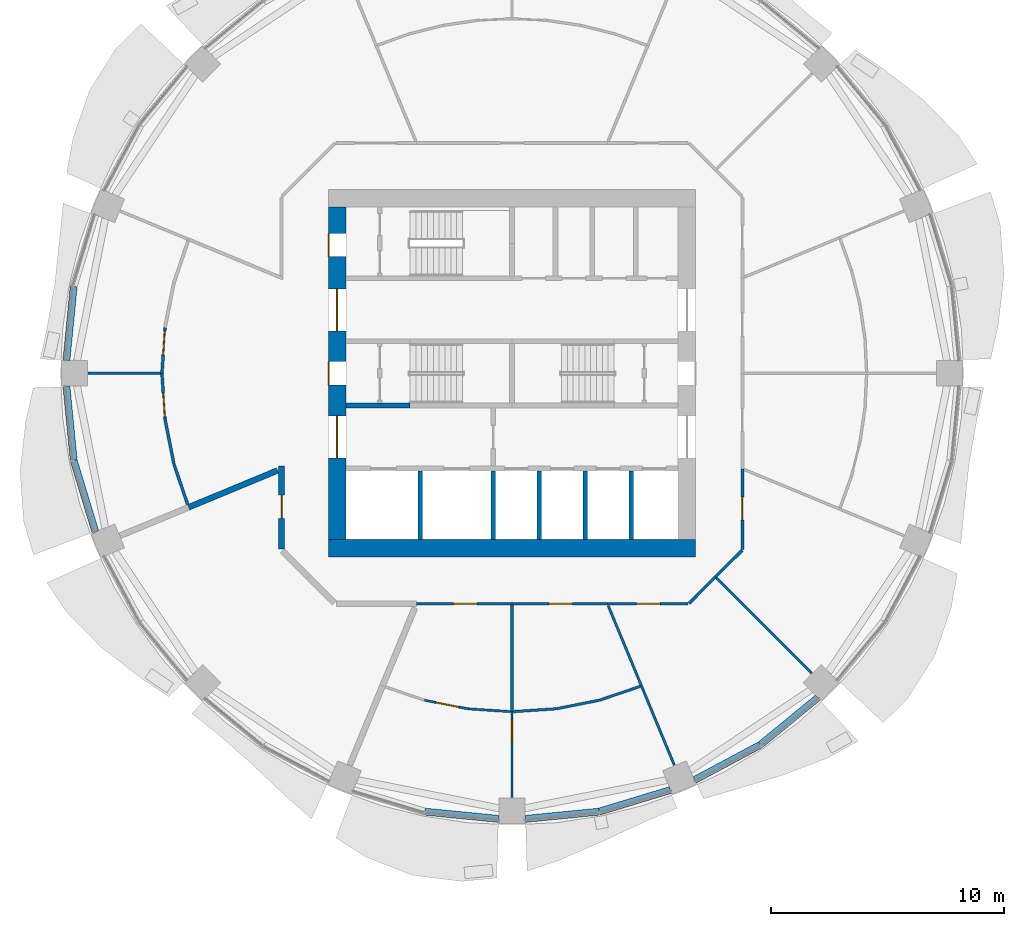
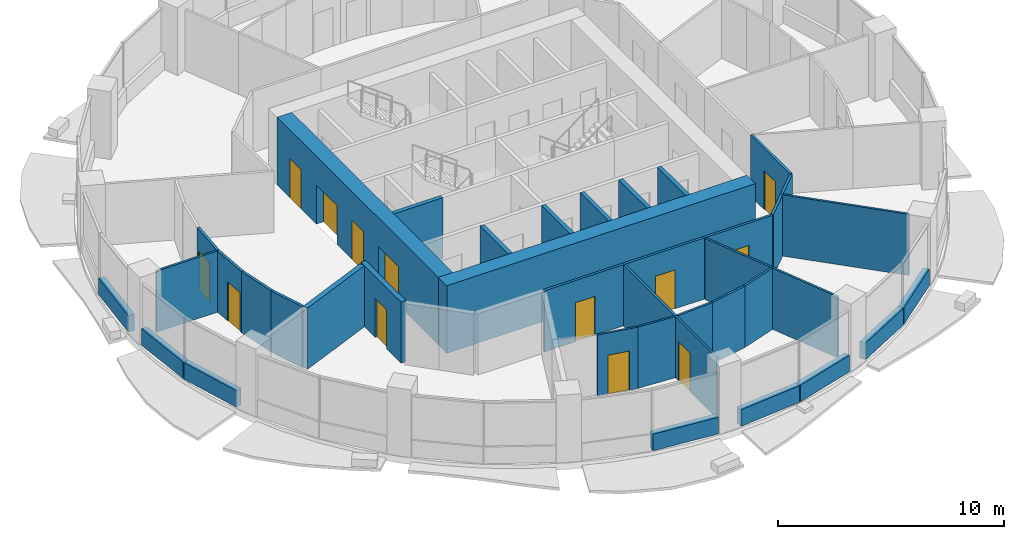
# One storey, part 7 of 14: 39 walls, 13 doors, 13 openings.
"""IFC4 building model written with IfcOpenShell, lengths in metres."""

from ifc_helpers import new_model, si_unit, direction, frame, frame_2d, origin, place, context, subcontext, project, spatial, rectangle, extrude, material, layer, layer_set, type_object, element, fill, save


model = new_model("IFC4")

# Units and contexts
model_context = context("Model", 3, precision=1e-05, world=origin(), true_north=direction((0.0, 1.0)))
body_context = subcontext(model_context, "Body", "Model", "MODEL_VIEW")
ifc_project = project(units=[si_unit("LENGTHUNIT", "METRE"), si_unit("AREAUNIT", "SQUARE_METRE"), si_unit("VOLUMEUNIT", "CUBIC_METRE"), si_unit("PLANEANGLEUNIT", "RADIAN"), si_unit("MASSUNIT", "GRAM", prefix="KILO")], contexts=[model_context])

# Site, building, storey
site_placement = place(None, origin())
site = spatial("IfcSite", under=ifc_project, at=site_placement, CompositionType="ELEMENT")
building_placement = place(site_placement, origin())
building = spatial("IfcBuilding", under=site, at=building_placement, Name="Polderwave Tower", CompositionType="ELEMENT")
storey_placement = place(building_placement, frame((0.0, 0.0, 91.0)))
storey = spatial("IfcBuildingStorey", under=building, at=storey_placement, Name="L23", CompositionType="ELEMENT", Elevation=91.0)

# Wall
ifc_material_1 = material(Name="Concrete C70/85", Category="concrete")
ifc_layer_1 = layer(ifc_material_1, 0.75)
ifc_layer_set_1 = layer_set([ifc_layer_1], Name="CORE WALL 750 C70/85")
wall_type_1 = type_object("IfcWallType", Name="CORE WALL 750 C70/85", PredefinedType="SHEAR", material=ifc_layer_set_1)
wall_1_placement = place(storey_placement, frame((-7.8740234375, -7.4990234375, 0.0), z_axis=(0.0, 0.0, 1.0), x_axis=(1.0, 0.0, 0.0)))
element("IfcWall", 1, at=wall_1_placement, inside=storey, type_object=wall_type_1, Name="ST-CORE-L23-S", PredefinedType="SHEAR", context=body_context, shape_type="SweptSolid", body=[
    extrude(rectangle(XDim=15.748046875, YDim=0.75, at=frame_2d((7.8740234375, 0.0))), origin(), (0.0, 0.0, 1.0), 3.64990234375),
])

# Wall, openings, doors
wall_2_placement = place(storey_placement, frame((-7.4990234375, -7.1240234375, 0.0), z_axis=(0.0, 0.0, 1.0), x_axis=(0.0, 1.0, 0.0)))
wall_2 = element("IfcWall", 2, at=wall_2_placement, inside=storey, type_object=wall_type_1, Name="ST-CORE-L23-W", PredefinedType="SHEAR", context=body_context, shape_type="SweptSolid", body=[
    extrude(rectangle(XDim=14.248046875, YDim=0.75, at=frame_2d((7.1240234375, 0.0))), origin(), (0.0, 0.0, 1.0), 3.64990234375),
])
opening_1_placement = place(wall_2_placement, frame((6.6240234375, 0.0, 0.0)))
opening_1 = element("IfcOpeningElement", 3, at=opening_1_placement, cuts=wall_2, Name="Opening L23-D18", PredefinedType="OPENING", context=body_context, shape_type="SweptSolid", body=[
    extrude(rectangle(XDim=1.0, YDim=2.10009765625, at=frame_2d((0.5, 1.050048828125))), frame((0.0, 0.385009765625, 0.0), z_axis=(0.0, -1.0, 0.0), x_axis=(1.0, 0.0, 0.0)), (0.0, 0.0, 1.0), 0.77001953125),
])
opening_2_placement = place(wall_2_placement, frame((3.49951171875, 0.0, 0.0)))
opening_2 = element("IfcOpeningElement", 4, at=opening_2_placement, cuts=wall_2, Name="Opening L23-D19", PredefinedType="OPENING", context=body_context, shape_type="SweptSolid", body=[
    extrude(rectangle(XDim=1.800048828125, YDim=2.10009765625, at=frame_2d((0.89990234375, 1.050048828125))), frame((0.0, 0.385009765625, 0.0), z_axis=(0.0, -1.0, 0.0), x_axis=(1.0, 0.0, 0.0)), (0.0, 0.0, 1.0), 0.77001953125),
])
opening_3_placement = place(wall_2_placement, frame((8.948486328125, 0.0, 0.0)))
opening_3 = element("IfcOpeningElement", 5, at=opening_3_placement, cuts=wall_2, Name="Opening L23-D20", PredefinedType="OPENING", context=body_context, shape_type="SweptSolid", body=[
    extrude(rectangle(XDim=1.800048828125, YDim=2.10009765625, at=frame_2d((0.89990234375, 1.050048828125))), frame((0.0, 0.385009765625, 0.0), z_axis=(0.0, -1.0, 0.0), x_axis=(1.0, 0.0, 0.0)), (0.0, 0.0, 1.0), 0.77001953125),
])
opening_4_placement = place(wall_2_placement, frame((12.1240234375, 0.0, 0.0)))
opening_4 = element("IfcOpeningElement", 6, at=opening_4_placement, cuts=wall_2, Name="Opening L23-D21", PredefinedType="OPENING", context=body_context, shape_type="SweptSolid", body=[
    extrude(rectangle(XDim=1.0, YDim=2.10009765625, at=frame_2d((0.5, 1.050048828125))), frame((0.0, 0.385009765625, 0.0), z_axis=(0.0, -1.0, 0.0), x_axis=(1.0, 0.0, 0.0)), (0.0, 0.0, 1.0), 0.77001953125),
])
ifc_material_2 = material(Name="Steel fire door", Category="steel")
door_type_1 = type_object("IfcDoorType", Name="Lobby entry door pair 1800", OperationType="DOUBLE_DOOR_SINGLE_SWING", PredefinedType="DOOR", material=ifc_material_2)
door_1_placement = place(opening_2_placement, origin())
door_1 = element("IfcDoor", 7, at=door_1_placement, inside=storey, type_object=door_type_1, Name="Fire-fighting lobby entry door", OperationType="DOUBLE_DOOR_SINGLE_SWING", OverallHeight=2.10009765625, OverallWidth=1.800048828125, PredefinedType="DOOR", context=body_context, shape_type="SweptSolid", body=[
    extrude(rectangle(XDim=1.800048828125, YDim=2.10009765625, at=frame_2d((0.89990234375, 1.050048828125))), frame((0.0, 0.02490234375, 0.0), z_axis=(0.0, -1.0, 0.0), x_axis=(1.0, 0.0, 0.0)), (0.0, 0.0, 1.0), 0.050048828125),
])
fill(opening_2, door_1)
door_2_placement = place(opening_3_placement, origin())
door_2 = element("IfcDoor", 8, at=door_2_placement, inside=storey, type_object=door_type_1, Name="North lobby entry door", OperationType="DOUBLE_DOOR_SINGLE_SWING", OverallHeight=2.10009765625, OverallWidth=1.800048828125, PredefinedType="DOOR", context=body_context, shape_type="SweptSolid", body=[
    extrude(rectangle(XDim=1.800048828125, YDim=2.10009765625, at=frame_2d((0.89990234375, 1.050048828125))), frame((0.0, 0.02490234375, 0.0), z_axis=(0.0, -1.0, 0.0), x_axis=(1.0, 0.0, 0.0)), (0.0, 0.0, 1.0), 0.050048828125),
])
fill(opening_3, door_2)
door_type_2 = type_object("IfcDoorType", Name="Stair door 1000", OperationType="NOTDEFINED", PredefinedType="DOOR", material=ifc_material_2)
door_3_placement = place(opening_1_placement, origin())
door_3 = element("IfcDoor", 9, at=door_3_placement, inside=storey, type_object=door_type_2, Name="Stair A entry door", OperationType="SINGLE_SWING_RIGHT", OverallHeight=2.10009765625, OverallWidth=1.0, PredefinedType="DOOR", context=body_context, shape_type="SweptSolid", body=[
    extrude(rectangle(XDim=1.0, YDim=2.10009765625, at=frame_2d((0.5, 1.050048828125))), frame((0.0, 0.375, 0.0), z_axis=(0.0, -1.0, 0.0), x_axis=(1.0, 0.0, 0.0)), (0.0, 0.0, 1.0), 0.050048828125),
])
fill(opening_1, door_3)
door_4_placement = place(opening_4_placement, origin())
door_4 = element("IfcDoor", 10, at=door_4_placement, inside=storey, type_object=door_type_2, Name="Stair C entry door", OperationType="SINGLE_SWING_RIGHT", OverallHeight=2.10009765625, OverallWidth=1.0, PredefinedType="DOOR", context=body_context, shape_type="SweptSolid", body=[
    extrude(rectangle(XDim=1.0, YDim=2.10009765625, at=frame_2d((0.5, 1.050048828125))), frame((0.0, 0.375, 0.0), z_axis=(0.0, -1.0, 0.0), x_axis=(1.0, 0.0, 0.0)), (0.0, 0.0, 1.0), 0.050048828125),
])
fill(opening_4, door_4)

# Walls
ifc_material_3 = material(Name="Concrete C50/60 (board-marked)", Category="concrete")
ifc_layer_2 = layer(ifc_material_3, 0.300048828125)
ifc_layer_set_2 = layer_set([ifc_layer_2], Name="Concrete spandrel upstand C50/60")
wall_type_2 = type_object("IfcWallType", Name="Concrete spandrel upstand C50/60", PredefinedType="SOLIDWALL", material=ifc_layer_set_2)
for number, where, z_axis, x_axis, name in (
    (11, (-18.783447265625, 3.72119140625, 0.0), (0.0, 0.0, 1.0), (-0.098040704044, -0.995182405567, 0.0), "Spandrel L23 8b"),
    (12, (-19.094482421875, -0.56396484375, 0.0), (0.0, 0.0, 1.0), (0.098040704044, -0.995182405567, 0.0), "Spandrel L23 9a"),
):
    element("IfcWall", number, at=place(storey_placement, frame(where, z_axis=z_axis, x_axis=x_axis)), inside=storey, type_object=wall_type_2, Name=name, PredefinedType="SOLIDWALL", context=body_context, shape_type="SweptSolid", body=[
        extrude(rectangle(XDim=3.172607421875, YDim=0.300048828125, at=frame_2d((1.58642578125, 0.0))), origin(), (0.0, 0.0, 1.0), 0.89990234375),
    ])
wall_3_placement = place(storey_placement, frame((-18.777587890625, -3.75048828125, 0.0), z_axis=(0.0, 0.0, 1.0), x_axis=(0.290325591482, -0.956927923582, 0.0)))
element("IfcWall", 13, at=wall_3_placement, inside=storey, type_object=wall_type_2, Name="Spandrel L23 9b", PredefinedType="SOLIDWALL", context=body_context, shape_type="SweptSolid", body=[
    extrude(rectangle(XDim=3.1728515625, YDim=0.300048828125, at=frame_2d((1.58642578125, 0.0))), origin(), (0.0, 0.0, 1.0), 0.89990234375),
])
for number, where, z_axis, x_axis, name in (
    (14, (-3.72119140625, -18.783447265625, 0.0), (0.0, 0.0, 1.0), (0.995182405567, -0.098040704044, 0.0), "Spandrel L23 12b"),
    (15, (0.56396484375, -19.094482421875, 0.0), (0.0, 0.0, 1.0), (0.995182405567, 0.098040704044, 0.0), "Spandrel L23 13a"),
):
    element("IfcWall", number, at=place(storey_placement, frame(where, z_axis=z_axis, x_axis=x_axis)), inside=storey, type_object=wall_type_2, Name=name, PredefinedType="SOLIDWALL", context=body_context, shape_type="SweptSolid", body=[
        extrude(rectangle(XDim=3.172607421875, YDim=0.300048828125, at=frame_2d((1.58642578125, 0.0))), origin(), (0.0, 0.0, 1.0), 0.89990234375),
    ])
wall_4_placement = place(storey_placement, frame((3.75048828125, -18.777587890625, 0.0), z_axis=(0.0, 0.0, 1.0), x_axis=(0.956927923582, 0.290325591482, 0.0)))
element("IfcWall", 16, at=wall_4_placement, inside=storey, type_object=wall_type_2, Name="Spandrel L23 13b", PredefinedType="SOLIDWALL", context=body_context, shape_type="SweptSolid", body=[
    extrude(rectangle(XDim=3.1728515625, YDim=0.300048828125, at=frame_2d((1.58642578125, 0.0))), origin(), (0.0, 0.0, 1.0), 0.89990234375),
])
wall_5_placement = place(storey_placement, frame((7.828125, -17.4248046875, 0.0), z_axis=(0.0, 0.0, 1.0), x_axis=(0.88188808669, 0.471458802606, 0.0)))
element("IfcWall", 17, at=wall_5_placement, inside=storey, type_object=wall_type_2, Name="Spandrel L23 14a", PredefinedType="SOLIDWALL", context=body_context, shape_type="SweptSolid", body=[
    extrude(rectangle(XDim=3.17236328125, YDim=0.300048828125, at=frame_2d((1.586181640625, 0.0))), origin(), (0.0, 0.0, 1.0), 0.89990234375),
])
wall_6_placement = place(storey_placement, frame((10.650634765625, -15.91259765625, 0.0), z_axis=(0.0, 0.0, 1.0), x_axis=(0.773137226182, 0.634238779555, 0.0)))
element("IfcWall", 18, at=wall_6_placement, inside=storey, type_object=wall_type_2, Name="Spandrel L23 14b", PredefinedType="SOLIDWALL", context=body_context, shape_type="SweptSolid", body=[
    extrude(rectangle(XDim=3.172607421875, YDim=0.300048828125, at=frame_2d((1.58642578125, 0.0))), origin(), (0.0, 0.0, 1.0), 0.89990234375),
])
ifc_material_4 = material(Name="Concrete C50/60", Category="concrete")
ifc_layer_3 = layer(ifc_material_4, 0.199951171875)
ifc_layer_set_3 = layer_set([ifc_layer_3], Name="Core web wall 200")
wall_type_3 = type_object("IfcWallType", Name="Core web wall 200", PredefinedType="SHEAR", material=ifc_layer_set_3)
wall_7_placement = place(storey_placement, frame((-7.1240234375, -1.375, 0.0), z_axis=(0.0, 0.0, 1.0), x_axis=(1.0, 0.0, 0.0)))
element("IfcWall", 19, at=wall_7_placement, inside=storey, type_object=wall_type_3, Name="L23 south stair wall 1", PredefinedType="SHEAR", context=body_context, shape_type="SweptSolid", body=[
    extrude(rectangle(XDim=2.75, YDim=0.199951171875, at=frame_2d((1.375, 0.0))), origin(), (0.0, 0.0, 1.0), 3.300048828125),
])
ifc_material_5 = material(Name="Fire-resisting board on steel studs", Category="steel")
ifc_layer_4 = layer(ifc_material_5, 0.125)
ifc_layer_set_4 = layer_set([ifc_layer_4], Name="Corridor wall 125 mm EI 60")
wall_type_4 = type_object("IfcWallType", Name="Corridor wall 125 mm EI 60", PredefinedType="PARTITIONING", material=ifc_layer_set_4)
wall_8_placement = place(storey_placement, frame((9.855712890625, -7.58935546875, 0.0), z_axis=(0.0, 0.0, 1.0), x_axis=(-0.70718294931, -0.707030604857, 0.0)))
element("IfcWall", 20, at=wall_8_placement, inside=storey, type_object=wall_type_4, Name="IN-L23-W004", PredefinedType="PARTITIONING", context=body_context, shape_type="SweptSolid", body=[
    extrude(rectangle(XDim=1.6025390625, YDim=0.125, at=frame_2d((0.80126953125, 0.0))), origin(), (0.0, 0.0, 1.0), 3.300048828125),
])

# Wall, opening, door
wall_9_placement = place(storey_placement, frame((9.8740234375, -4.08984375, 0.0), z_axis=(0.0, 0.0, 1.0), x_axis=(0.0, -1.0, 0.0)))
wall_9 = element("IfcWall", 21, at=wall_9_placement, inside=storey, type_object=wall_type_4, Name="IN-L23-W005", PredefinedType="PARTITIONING", context=body_context, shape_type="SweptSolid", body=[
    extrude(rectangle(XDim=3.455322265625, YDim=0.125, at=frame_2d((1.7275390625, 0.0))), origin(), (0.0, 0.0, 1.0), 3.300048828125),
])
opening_5_placement = place(wall_9_placement, frame((1.199951171875, 0.0, 0.0)))
opening_5 = element("IfcOpeningElement", 22, at=opening_5_placement, cuts=wall_9, Name="Opening L23-D52", PredefinedType="OPENING", context=body_context, shape_type="SweptSolid", body=[
    extrude(rectangle(XDim=1.0, YDim=2.10009765625, at=frame_2d((0.5, 1.050048828125))), frame((0.0, 0.072509765625, 0.0), z_axis=(0.0, -1.0, 0.0), x_axis=(1.0, 0.0, 0.0)), (0.0, 0.0, 1.0), 0.14501953125),
])
ifc_material_6 = material(Name="Timber fire door leaf", Category="wood")
door_type_3 = type_object("IfcDoorType", Name="Fire door FD30S 1000 x 2100", OperationType="NOTDEFINED", PredefinedType="DOOR", material=ifc_material_6)
door_5_placement = place(opening_5_placement, origin())
door_5 = element("IfcDoor", 23, at=door_5_placement, inside=storey, type_object=door_type_3, Name="Door L23-D52", OperationType="SINGLE_SWING_LEFT", OverallHeight=2.10009765625, OverallWidth=1.0, PredefinedType="DOOR", context=body_context, shape_type="SweptSolid", body=[
    extrude(rectangle(XDim=1.0, YDim=2.10009765625, at=frame_2d((0.5, 1.050048828125))), frame((0.0, 0.02490234375, 0.0), z_axis=(0.0, -1.0, 0.0), x_axis=(1.0, 0.0, 0.0)), (0.0, 0.0, 1.0), 0.050048828125),
])
fill(opening_5, door_5)

wall_10_placement = place(storey_placement, frame((0.0, -9.8740234375, 0.0), z_axis=(0.0, 0.0, 1.0), x_axis=(-1.0, 0.0, 0.0)))
wall_10 = element("IfcWall", 24, at=wall_10_placement, inside=storey, type_object=wall_type_4, Name="IN-L23-W018", PredefinedType="PARTITIONING", context=body_context, shape_type="SweptSolid", body=[
    extrude(rectangle(XDim=4.08984375, YDim=0.125, at=frame_2d((2.044921875, 0.0))), origin(), (0.0, 0.0, 1.0), 3.300048828125),
])
opening_6_placement = place(wall_10_placement, frame((1.5, 0.0, 0.0)))
opening_6 = element("IfcOpeningElement", 25, at=opening_6_placement, cuts=wall_10, Name="Opening L23-D58", PredefinedType="OPENING", context=body_context, shape_type="SweptSolid", body=[
    extrude(rectangle(XDim=1.0, YDim=2.10009765625, at=frame_2d((0.5, 1.050048828125))), frame((0.0, 0.072509765625, 0.0), z_axis=(0.0, -1.0, 0.0), x_axis=(1.0, 0.0, 0.0)), (0.0, 0.0, 1.0), 0.14501953125),
])
door_6_placement = place(opening_6_placement, origin())
door_6 = element("IfcDoor", 26, at=door_6_placement, inside=storey, type_object=door_type_3, Name="Door L23-D58", OperationType="SINGLE_SWING_LEFT", OverallHeight=2.10009765625, OverallWidth=1.0, PredefinedType="DOOR", context=body_context, shape_type="SweptSolid", body=[
    extrude(rectangle(XDim=1.0, YDim=2.10009765625, at=frame_2d((0.5, 1.050048828125))), frame((0.0, 0.02490234375, 0.0), z_axis=(0.0, -1.0, 0.0), x_axis=(1.0, 0.0, 0.0)), (0.0, 0.0, 1.0), 0.050048828125),
])
fill(opening_6, door_6)

wall_11_placement = place(storey_placement, frame((4.08984375, -9.8740234375, 0.0), z_axis=(0.0, 0.0, 1.0), x_axis=(-1.0, 0.0, 0.0)))
wall_11 = element("IfcWall", 27, at=wall_11_placement, inside=storey, type_object=wall_type_4, Name="IN-L23-W019", PredefinedType="PARTITIONING", context=body_context, shape_type="SweptSolid", body=[
    extrude(rectangle(XDim=4.08984375, YDim=0.125, at=frame_2d((2.044921875, 0.0))), origin(), (0.0, 0.0, 1.0), 3.300048828125),
])
opening_7_placement = place(wall_11_placement, frame((1.5, 0.0, 0.0)))
opening_7 = element("IfcOpeningElement", 28, at=opening_7_placement, cuts=wall_11, Name="Opening L23-D59", PredefinedType="OPENING", context=body_context, shape_type="SweptSolid", body=[
    extrude(rectangle(XDim=1.0, YDim=2.10009765625, at=frame_2d((0.5, 1.050048828125))), frame((0.0, 0.072509765625, 0.0), z_axis=(0.0, -1.0, 0.0), x_axis=(1.0, 0.0, 0.0)), (0.0, 0.0, 1.0), 0.14501953125),
])
door_7_placement = place(opening_7_placement, origin())
door_7 = element("IfcDoor", 29, at=door_7_placement, inside=storey, type_object=door_type_3, Name="Door L23-D59", OperationType="SINGLE_SWING_LEFT", OverallHeight=2.10009765625, OverallWidth=1.0, PredefinedType="DOOR", context=body_context, shape_type="SweptSolid", body=[
    extrude(rectangle(XDim=1.0, YDim=2.10009765625, at=frame_2d((0.5, 1.050048828125))), frame((0.0, 0.02490234375, 0.0), z_axis=(0.0, -1.0, 0.0), x_axis=(1.0, 0.0, 0.0)), (0.0, 0.0, 1.0), 0.050048828125),
])
fill(opening_7, door_7)

wall_12_placement = place(storey_placement, frame((7.545166015625, -9.8740234375, 0.0), z_axis=(0.0, 0.0, 1.0), x_axis=(-1.0, 0.0, 0.0)))
wall_12 = element("IfcWall", 30, at=wall_12_placement, inside=storey, type_object=wall_type_4, Name="IN-L23-W020", PredefinedType="PARTITIONING", context=body_context, shape_type="SweptSolid", body=[
    extrude(rectangle(XDim=3.455322265625, YDim=0.125, at=frame_2d((1.7275390625, 0.0))), origin(), (0.0, 0.0, 1.0), 3.300048828125),
])
opening_8_placement = place(wall_12_placement, frame((1.199951171875, 0.0, 0.0)))
opening_8 = element("IfcOpeningElement", 31, at=opening_8_placement, cuts=wall_12, Name="Opening L23-D60", PredefinedType="OPENING", context=body_context, shape_type="SweptSolid", body=[
    extrude(rectangle(XDim=1.0, YDim=2.10009765625, at=frame_2d((0.5, 1.050048828125))), frame((0.0, 0.072509765625, 0.0), z_axis=(0.0, -1.0, 0.0), x_axis=(1.0, 0.0, 0.0)), (0.0, 0.0, 1.0), 0.14501953125),
])
door_8_placement = place(opening_8_placement, origin())
door_8 = element("IfcDoor", 32, at=door_8_placement, inside=storey, type_object=door_type_3, Name="Door L23-D60", OperationType="SINGLE_SWING_LEFT", OverallHeight=2.10009765625, OverallWidth=1.0, PredefinedType="DOOR", context=body_context, shape_type="SweptSolid", body=[
    extrude(rectangle(XDim=1.0, YDim=2.10009765625, at=frame_2d((0.5, 1.050048828125))), frame((0.0, 0.02490234375, 0.0), z_axis=(0.0, -1.0, 0.0), x_axis=(1.0, 0.0, 0.0)), (0.0, 0.0, 1.0), 0.050048828125),
])
fill(opening_8, door_8)

# Wall
wall_13_placement = place(storey_placement, frame((8.722412109375, -8.722412109375, 0.0), z_axis=(0.0, 0.0, 1.0), x_axis=(-0.707030604857, -0.70718294931, 0.0)))
element("IfcWall", 33, at=wall_13_placement, inside=storey, type_object=wall_type_4, Name="IN-L23-W021", PredefinedType="PARTITIONING", context=body_context, shape_type="SweptSolid", body=[
    extrude(rectangle(XDim=1.6025390625, YDim=0.125, at=frame_2d((0.80126953125, 0.0))), origin(), (0.0, 0.0, 1.0), 3.300048828125),
])

# Wall, opening, door
wall_14_placement = place(storey_placement, frame((-15.0, 0.0, 0.0), z_axis=(0.0, 0.0, 1.0), x_axis=(0.065335548621, 0.997863350407, 0.0)))
wall_14 = element("IfcWall", 34, at=wall_14_placement, inside=storey, type_object=wall_type_4, Name="IN-L23-W046", PredefinedType="PARTITIONING", context=body_context, shape_type="SweptSolid", body=[
    extrude(rectangle(XDim=1.9580078125, YDim=0.125, at=frame_2d((0.97900390625, 0.0))), origin(), (0.0, 0.0, 1.0), 3.300048828125),
])
opening_9_placement = place(wall_14_placement, frame((0.800048828125, 0.0, 0.0)))
opening_9 = element("IfcOpeningElement", 35, at=opening_9_placement, cuts=wall_14, Name="Opening L23-D64", PredefinedType="OPENING", context=body_context, shape_type="SweptSolid", body=[
    extrude(rectangle(XDim=1.0, YDim=2.10009765625, at=frame_2d((0.5, 1.050048828125))), frame((0.0, 0.072509765625, 0.0), z_axis=(0.0, -1.0, 0.0), x_axis=(1.0, 0.0, 0.0)), (0.0, 0.0, 1.0), 0.14501953125),
])
door_9_placement = place(opening_9_placement, origin())
door_9 = element("IfcDoor", 36, at=door_9_placement, inside=storey, type_object=door_type_3, Name="Door L23-D64", OperationType="SINGLE_SWING_RIGHT", OverallHeight=2.10009765625, OverallWidth=1.0, PredefinedType="DOOR", context=body_context, shape_type="SweptSolid", body=[
    extrude(rectangle(XDim=1.0, YDim=2.10009765625, at=frame_2d((0.5, 1.050048828125))), frame((0.0, 0.02490234375, 0.0), z_axis=(0.0, -1.0, 0.0), x_axis=(1.0, 0.0, 0.0)), (0.0, 0.0, 1.0), 0.050048828125),
])
fill(opening_9, door_9)

wall_15_placement = place(storey_placement, frame((-14.8720703125, -1.953857421875, 0.0), z_axis=(0.0, 0.0, 1.0), x_axis=(-0.065335548621, 0.997863350407, 0.0)))
wall_15 = element("IfcWall", 37, at=wall_15_placement, inside=storey, type_object=wall_type_4, Name="IN-L23-W049", PredefinedType="PARTITIONING", context=body_context, shape_type="SweptSolid", body=[
    extrude(rectangle(XDim=1.9580078125, YDim=0.125, at=frame_2d((0.97900390625, 0.0))), origin(), (0.0, 0.0, 1.0), 3.300048828125),
])
opening_10_placement = place(wall_15_placement, frame((0.10009765625, 0.0, 0.0)))
opening_10 = element("IfcOpeningElement", 38, at=opening_10_placement, cuts=wall_15, Name="Opening L23-D65", PredefinedType="OPENING", context=body_context, shape_type="SweptSolid", body=[
    extrude(rectangle(XDim=1.0, YDim=2.10009765625, at=frame_2d((0.5, 1.050048828125))), frame((0.0, 0.072509765625, 0.0), z_axis=(0.0, -1.0, 0.0), x_axis=(1.0, 0.0, 0.0)), (0.0, 0.0, 1.0), 0.14501953125),
])
door_10_placement = place(opening_10_placement, origin())
door_10 = element("IfcDoor", 39, at=door_10_placement, inside=storey, type_object=door_type_3, Name="Door L23-D65", OperationType="SINGLE_SWING_LEFT", OverallHeight=2.10009765625, OverallWidth=1.0, PredefinedType="DOOR", context=body_context, shape_type="SweptSolid", body=[
    extrude(rectangle(XDim=1.0, YDim=2.10009765625, at=frame_2d((0.5, 1.050048828125))), frame((0.0, 0.02490234375, 0.0), z_axis=(0.0, -1.0, 0.0), x_axis=(1.0, 0.0, 0.0)), (0.0, 0.0, 1.0), 0.050048828125),
])
fill(opening_10, door_10)

# Walls
wall_16_placement = place(storey_placement, frame((-14.48974609375, -3.87841796875, 0.0), z_axis=(0.0, 0.0, 1.0), x_axis=(-0.195034785279, 0.980796325713, 0.0)))
element("IfcWall", 40, at=wall_16_placement, inside=storey, type_object=wall_type_4, Name="IN-L23-W050", PredefinedType="PARTITIONING", context=body_context, shape_type="SweptSolid", body=[
    extrude(rectangle(XDim=1.9541015625, YDim=0.125, at=frame_2d((0.97705078125, 0.0))), origin(), (0.0, 0.0, 1.0), 3.300048828125),
])
wall_17_placement = place(storey_placement, frame((-13.89990234375, -5.61767578125, 0.0), z_axis=(0.0, 0.0, 1.0), x_axis=(-0.321390424162, 0.946946775303, 0.0)))
element("IfcWall", 41, at=wall_17_placement, inside=storey, type_object=wall_type_4, Name="IN-L23-W051", PredefinedType="PARTITIONING", context=body_context, shape_type="SweptSolid", body=[
    extrude(rectangle(XDim=1.828369140625, YDim=0.125, at=frame_2d((0.9140625, 0.0))), origin(), (0.0, 0.0, 1.0), 3.300048828125),
])

# Wall, opening, door
ifc_material_7 = material(Name="Plasterboard on steel studs", Category="steel")
ifc_layer_5 = layer(ifc_material_7, 0.10009765625)
ifc_layer_set_5 = layer_set([ifc_layer_5], Name="Partition 100 mm plasterboard on steel studs")
wall_type_5 = type_object("IfcWallType", Name="Partition 100 mm plasterboard on steel studs", PredefinedType="PARTITIONING", material=ifc_layer_set_5)
wall_18_placement = place(storey_placement, frame((-1.895751953125, -14.37548828125, 0.0), z_axis=(0.0, 0.0, 1.0), x_axis=(-0.980773924018, 0.19514740574, 0.0)))
wall_18 = element("IfcWall", 42, at=wall_18_placement, inside=storey, type_object=wall_type_5, Name="IN-L23-W058", PredefinedType="PARTITIONING", context=body_context, shape_type="SweptSolid", body=[
    extrude(rectangle(XDim=1.890380859375, YDim=0.10009765625, at=frame_2d((0.9453125, 0.0))), origin(), (0.0, 0.0, 1.0), 3.300048828125),
])
opening_11_placement = place(wall_18_placement, frame((0.39990234375, 0.0, 0.0)))
opening_11 = element("IfcOpeningElement", 43, at=opening_11_placement, cuts=wall_18, Name="Opening L23-D66", PredefinedType="OPENING", context=body_context, shape_type="SweptSolid", body=[
    extrude(rectangle(XDim=1.0, YDim=2.10009765625, at=frame_2d((0.5, 1.050048828125))), frame((0.0, 0.06005859375, 0.0), z_axis=(0.0, -1.0, 0.0), x_axis=(1.0, 0.0, 0.0)), (0.0, 0.0, 1.0), 0.1201171875),
])
ifc_material_8 = material(Name="Timber veneer door leaf", Category="wood")
door_type_4 = type_object("IfcDoorType", Name="Single door 1000 x 2100", OperationType="NOTDEFINED", PredefinedType="DOOR", material=ifc_material_8)
door_11_placement = place(opening_11_placement, origin())
door_11 = element("IfcDoor", 44, at=door_11_placement, inside=storey, type_object=door_type_4, Name="Door L23-D66", OperationType="SINGLE_SWING_LEFT", OverallHeight=2.10009765625, OverallWidth=1.0, PredefinedType="DOOR", context=body_context, shape_type="SweptSolid", body=[
    extrude(rectangle(XDim=1.0, YDim=2.10009765625, at=frame_2d((0.5, 1.050048828125))), frame((0.0, 0.02490234375, 0.0), z_axis=(0.0, -1.0, 0.0), x_axis=(1.0, 0.0, 0.0)), (0.0, 0.0, 1.0), 0.050048828125),
])
fill(opening_11, door_11)

# Wall
wall_19_placement = place(storey_placement, frame((-0.058349609375, -14.49609375, 0.0), z_axis=(0.0, 0.0, 1.0), x_axis=(-0.99786392157, 0.065326824732, 0.0)))
element("IfcWall", 45, at=wall_19_placement, inside=storey, type_object=wall_type_5, Name="IN-L23-W059", PredefinedType="PARTITIONING", context=body_context, shape_type="SweptSolid", body=[
    extrude(rectangle(XDim=1.8349609375, YDim=0.10009765625, at=frame_2d((0.91748046875, 0.0))), origin(), (0.0, 0.0, 1.0), 3.300048828125),
])

# Wall, opening, door
wall_20_placement = place(storey_placement, frame((0.0, -14.5, 0.0), z_axis=(0.0, 0.0, 1.0), x_axis=(0.0, -1.0, 0.0)))
wall_20 = element("IfcWall", 46, at=wall_20_placement, inside=storey, type_object=wall_type_5, Name="IN-L23-W061", PredefinedType="PARTITIONING", context=body_context, shape_type="SweptSolid", body=[
    extrude(rectangle(XDim=3.669921875, YDim=0.10009765625, at=frame_2d((1.8349609375, 0.0))), origin(), (0.0, 0.0, 1.0), 3.300048828125),
])
opening_12_placement = place(wall_20_placement, frame((0.300048828125, 0.0, 0.0)))
opening_12 = element("IfcOpeningElement", 47, at=opening_12_placement, cuts=wall_20, Name="Opening L23-D67", PredefinedType="OPENING", context=body_context, shape_type="SweptSolid", body=[
    extrude(rectangle(XDim=1.0, YDim=2.10009765625, at=frame_2d((0.5, 1.050048828125))), frame((0.0, 0.06005859375, 0.0), z_axis=(0.0, -1.0, 0.0), x_axis=(1.0, 0.0, 0.0)), (0.0, 0.0, 1.0), 0.1201171875),
])
door_12_placement = place(opening_12_placement, origin())
door_12 = element("IfcDoor", 48, at=door_12_placement, inside=storey, type_object=door_type_4, Name="Door L23-D67", OperationType="SINGLE_SWING_LEFT", OverallHeight=2.10009765625, OverallWidth=1.0, PredefinedType="DOOR", context=body_context, shape_type="SweptSolid", body=[
    extrude(rectangle(XDim=1.0, YDim=2.10009765625, at=frame_2d((0.5, 1.050048828125))), frame((0.0, 0.02490234375, 0.0), z_axis=(0.0, -1.0, 0.0), x_axis=(1.0, 0.0, 0.0)), (0.0, 0.0, 1.0), 0.050048828125),
])
fill(opening_12, door_12)

# Walls
ifc_material_9 = material(Name="Moisture-resistant board on steel studs, tiled", Category="steel")
ifc_layer_6 = layer(ifc_material_9, 0.10498046875)
ifc_layer_set_6 = layer_set([ifc_layer_6], Name="Partition 105 mm wet room board and tile")
wall_type_6 = type_object("IfcWallType", Name="Partition 105 mm wet room board and tile", PredefinedType="PARTITIONING", material=ifc_layer_set_6)
wall_21_placement = place(storey_placement, frame((4.1240234375, -9.95654296875, 0.0), z_axis=(0.0, 0.0, 1.0), x_axis=(0.382691554869, -0.923876168018, 0.0)))
element("IfcWall", 49, at=wall_21_placement, inside=storey, type_object=wall_type_6, Name="IN-L23-W065", PredefinedType="PARTITIONING", context=body_context, shape_type="SweptSolid", body=[
    extrude(rectangle(XDim=3.72314453125, YDim=0.10498046875, at=frame_2d((1.861572265625, 0.0))), origin(), (0.0, 0.0, 1.0), 3.300048828125),
])
wall_22_placement = place(storey_placement, frame((5.548828125, -13.396240234375, 0.0), z_axis=(0.0, 0.0, 1.0), x_axis=(0.382706260748, -0.923870076355, 0.0)))
element("IfcWall", 50, at=wall_22_placement, inside=storey, type_object=wall_type_6, Name="IN-L23-W066", PredefinedType="PARTITIONING", context=body_context, shape_type="SweptSolid", body=[
    extrude(rectangle(XDim=3.669921875, YDim=0.10498046875, at=frame_2d((1.8349609375, 0.0))), origin(), (0.0, 0.0, 1.0), 3.300048828125),
])
wall_23_placement = place(storey_placement, frame((8.7666015625, -8.7666015625, 0.0), z_axis=(0.0, 0.0, 1.0), x_axis=(0.707106781187, -0.707106781187, 0.0)))
element("IfcWall", 51, at=wall_23_placement, inside=storey, type_object=wall_type_6, Name="IN-L23-W067", PredefinedType="PARTITIONING", context=body_context, shape_type="SweptSolid", body=[
    extrude(rectangle(XDim=5.772216796875, YDim=0.10498046875, at=frame_2d((2.88623046875, 0.0))), origin(), (0.0, 0.0, 1.0), 3.300048828125),
])
ifc_material_10 = material(Name="Acoustic double plasterboard on steel studs", Category="steel")
ifc_layer_7 = layer(ifc_material_10, 0.110107421875)
ifc_layer_set_7 = layer_set([ifc_layer_7], Name="Partition 110 mm acoustic double board")
wall_type_7 = type_object("IfcWallType", Name="Partition 110 mm acoustic double board", PredefinedType="PARTITIONING", material=ifc_layer_set_7)
wall_24_placement = place(storey_placement, frame((-15.066162109375, 0.0, 0.0), z_axis=(0.0, 0.0, 1.0), x_axis=(-1.0, 0.0, 0.0)))
element("IfcWall", 52, at=wall_24_placement, inside=storey, type_object=wall_type_7, Name="IN-L23-W053", PredefinedType="PARTITIONING", context=body_context, shape_type="SweptSolid", body=[
    extrude(rectangle(XDim=3.103759765625, YDim=0.110107421875, at=frame_2d((1.5517578125, 0.0))), origin(), (0.0, 0.0, 1.0), 3.300048828125),
])
wall_25_placement = place(storey_placement, frame((0.0, -9.9365234375, 0.0), z_axis=(0.0, 0.0, 1.0), x_axis=(0.0, -1.0, 0.0)))
element("IfcWall", 53, at=wall_25_placement, inside=storey, type_object=wall_type_7, Name="IN-L23-W060", PredefinedType="PARTITIONING", context=body_context, shape_type="SweptSolid", body=[
    extrude(rectangle(XDim=4.5634765625, YDim=0.110107421875, at=frame_2d((2.28173828125, 0.0))), origin(), (0.0, 0.0, 1.0), 3.300048828125),
])
wall_26_placement = place(storey_placement, frame((1.888916015625, -14.376220703125, 0.0), z_axis=(0.0, 0.0, 1.0), x_axis=(-0.99786221716, -0.065352854292, 0.0)))
element("IfcWall", 54, at=wall_26_placement, inside=storey, type_object=wall_type_7, Name="IN-L23-W062", PredefinedType="PARTITIONING", context=body_context, shape_type="SweptSolid", body=[
    extrude(rectangle(XDim=1.834228515625, YDim=0.110107421875, at=frame_2d((0.9169921875, 0.0))), origin(), (0.0, 0.0, 1.0), 3.300048828125),
])
wall_27_placement = place(storey_placement, frame((3.74951171875, -14.006591796875, 0.0), z_axis=(0.0, 0.0, 1.0), x_axis=(-0.980788807459, -0.195072589471, 0.0)))
element("IfcWall", 55, at=wall_27_placement, inside=storey, type_object=wall_type_7, Name="IN-L23-W063", PredefinedType="PARTITIONING", context=body_context, shape_type="SweptSolid", body=[
    extrude(rectangle(XDim=1.889892578125, YDim=0.110107421875, at=frame_2d((0.94482421875, 0.0))), origin(), (0.0, 0.0, 1.0), 3.300048828125),
])
wall_28_placement = place(storey_placement, frame((5.49560546875, -13.414306640625, 0.0), z_axis=(0.0, 0.0, 1.0), x_axis=(-0.946941139485, -0.321407029095, 0.0)))
element("IfcWall", 56, at=wall_28_placement, inside=storey, type_object=wall_type_7, Name="IN-L23-W064", PredefinedType="PARTITIONING", context=body_context, shape_type="SweptSolid", body=[
    extrude(rectangle(XDim=1.836669921875, YDim=0.110107421875, at=frame_2d((0.91845703125, 0.0))), origin(), (0.0, 0.0, 1.0), 3.300048828125),
])

# Wall, opening, door
ifc_material_11 = material(Name="Fire-resisting board on steel studs, mineral wool", Category="steel")
ifc_layer_8 = layer(ifc_material_11, 0.25)
ifc_layer_set_8 = layer_set([ifc_layer_8], Name="Plant room wall 250 mm EI 120")
wall_type_8 = type_object("IfcWallType", Name="Plant room wall 250 mm EI 120", PredefinedType="PARTITIONING", material=ifc_layer_set_8)
wall_29_placement = place(storey_placement, frame((-9.8740234375, -7.519287109375, 0.0), z_axis=(0.0, 0.0, 1.0), x_axis=(0.0, 1.0, 0.0)))
wall_29 = element("IfcWall", 57, at=wall_29_placement, inside=storey, type_object=wall_type_8, Name="IN-L23-W014", PredefinedType="PARTITIONING", context=body_context, shape_type="SweptSolid", body=[
    extrude(rectangle(XDim=3.554443359375, YDim=0.25, at=frame_2d((1.77734375, 0.0))), origin(), (0.0, 0.0, 1.0), 3.300048828125),
])
opening_13_placement = place(wall_29_placement, frame((1.300048828125, 0.0, 0.0)))
opening_13 = element("IfcOpeningElement", 58, at=opening_13_placement, cuts=wall_29, Name="Opening L23-D57", PredefinedType="OPENING", context=body_context, shape_type="SweptSolid", body=[
    extrude(rectangle(XDim=1.0, YDim=2.10009765625, at=frame_2d((0.5, 1.050048828125))), frame((0.0, 0.135009765625, 0.0), z_axis=(0.0, -1.0, 0.0), x_axis=(1.0, 0.0, 0.0)), (0.0, 0.0, 1.0), 0.27001953125),
])
ifc_material_12 = material(Name="Steel plant door leaf", Category="steel")
door_type_5 = type_object("IfcDoorType", Name="Plant door FD60 1000 x 2100 steel", OperationType="NOTDEFINED", PredefinedType="DOOR", material=ifc_material_12)
door_13_placement = place(opening_13_placement, origin())
door_13 = element("IfcDoor", 59, at=door_13_placement, inside=storey, type_object=door_type_5, Name="Door L23-D57", OperationType="SINGLE_SWING_RIGHT", OverallHeight=2.10009765625, OverallWidth=1.0, PredefinedType="DOOR", context=body_context, shape_type="SweptSolid", body=[
    extrude(rectangle(XDim=1.0, YDim=2.10009765625, at=frame_2d((0.5, 1.050048828125))), frame((0.0, 0.02490234375, 0.0), z_axis=(0.0, -1.0, 0.0), x_axis=(1.0, 0.0, 0.0)), (0.0, 0.0, 1.0), 0.050048828125),
])
fill(opening_13, door_13)

# Walls
wall_30_placement = place(storey_placement, frame((-10.046875, -4.16162109375, 0.0), z_axis=(0.0, 0.0, 1.0), x_axis=(-0.92388555685, -0.382668888001, 0.0)))
element("IfcWall", 60, at=wall_30_placement, inside=storey, type_object=wall_type_8, Name="IN-L23-W052", PredefinedType="PARTITIONING", context=body_context, shape_type="SweptSolid", body=[
    extrude(rectangle(XDim=4.125244140625, YDim=0.25, at=frame_2d((2.0625, 0.0))), origin(), (0.0, 0.0, 1.0), 3.300048828125),
])
ifc_material_13 = material(Name="Gypsum shaft wall system")
ifc_layer_9 = layer(ifc_material_13, 0.199951171875)
ifc_layer_set_9 = layer_set([ifc_layer_9], Name="Shaft wall 200")
wall_type_9 = type_object("IfcWallType", Name="Shaft wall 200", PredefinedType="PARTITIONING", material=ifc_layer_set_9)
for number, where, z_axis, x_axis, name in (
    (61, (-3.93701171875, -7.1240234375, 0.0), (0.0, 0.0, 1.0), (0.0, 1.0, 0.0), "L23 fire-fighting shaft wall 1"),
    (62, (-0.800048828125, -7.1240234375, 0.0), (0.0, 0.0, 1.0), (0.0, 1.0, 0.0), "L23 fire-fighting shaft wall 2"),
    (63, (1.16845703125, -7.1240234375, 0.0), (0.0, 0.0, 1.0), (0.0, 1.0, 0.0), "L23 lift shaft wall 1"),
    (64, (3.136962890625, -7.1240234375, 0.0), (0.0, 0.0, 1.0), (0.0, 1.0, 0.0), "L23 lift shaft wall 2"),
    (65, (5.10546875, -7.1240234375, 0.0), (0.0, 0.0, 1.0), (0.0, 1.0, 0.0), "L23 lift shaft wall 3"),
):
    element("IfcWall", number, at=place(storey_placement, frame(where, z_axis=z_axis, x_axis=x_axis)), inside=storey, type_object=wall_type_9, Name=name, PredefinedType="PARTITIONING", context=body_context, shape_type="SweptSolid", body=[
        extrude(rectangle(XDim=2.949951171875, YDim=0.199951171875, at=frame_2d((1.47509765625, 0.0))), origin(), (0.0, 0.0, 1.0), 3.300048828125),
    ])

save(model, "model.ifc")
